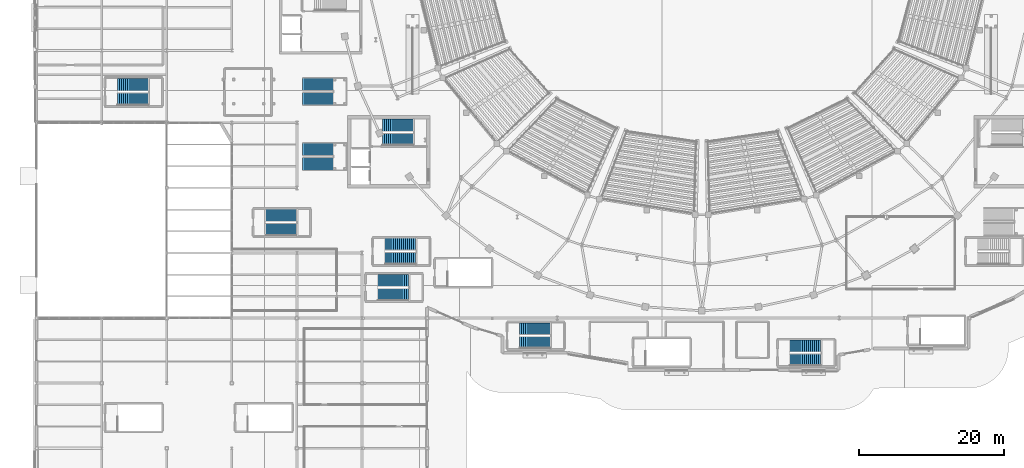
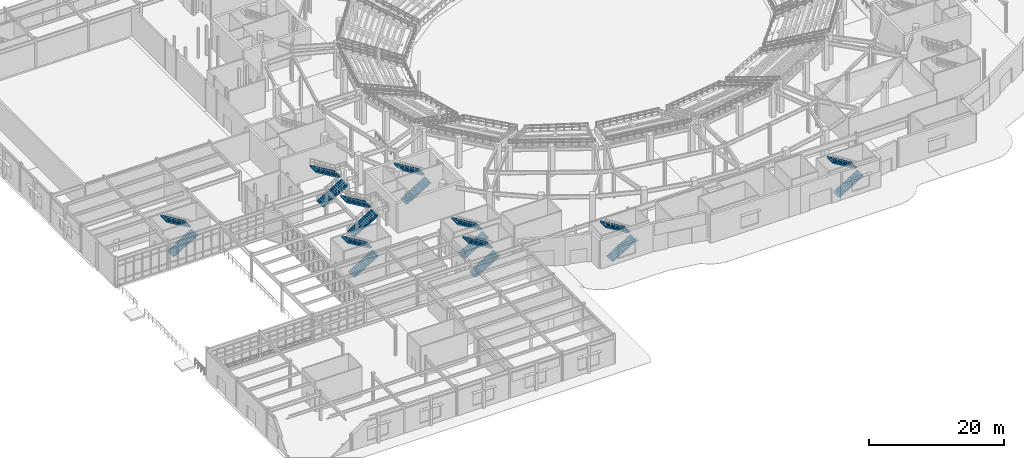
# One storey, part 57 of 79: 18 stair flights, 9 elements without a shape of their own.
"""IFC4 building model written with IfcOpenShell, lengths in metres."""

from ifc_helpers import new_model, si_unit, direction, frame, origin, place, context, subcontext, project, spatial, polyline, outline, extrude, material, type_object, element, aggregate, save


model = new_model("IFC4")

# Units and contexts
model_context = context("Model", 3, precision=1e-05, world=origin(), true_north=direction((0.0, 1.0)))
body_context = subcontext(model_context, "Body", "Model", "MODEL_VIEW")
ifc_project = project(units=[si_unit("LENGTHUNIT", "METRE"), si_unit("AREAUNIT", "SQUARE_METRE"), si_unit("VOLUMEUNIT", "CUBIC_METRE"), si_unit("PLANEANGLEUNIT", "RADIAN"), si_unit("MASSUNIT", "GRAM", prefix="KILO")], contexts=[model_context])

# Site, building, storey
site_placement = place(None, origin())
site = spatial("IfcSite", under=ifc_project, at=site_placement, CompositionType="ELEMENT")
building_placement = place(site_placement, origin())
building = spatial("IfcBuilding", under=site, at=building_placement, Name="Glasvene Arena", CompositionType="ELEMENT")
storey_placement = place(building_placement, origin())
storey = spatial("IfcBuildingStorey", under=building, at=storey_placement, Name="L00", CompositionType="ELEMENT", Elevation=0.0)

# Stair, stair flights
ifc_material = material(Name="Concrete C40/50", Category="concrete")
stair_type_1 = type_object("IfcStairType", Name="ST-HT-540-165", PredefinedType="HALF_TURN_STAIR", material=ifc_material)
stair_1_placement = place(storey_placement, origin())
stair_1 = element("IfcStair", 1, at=stair_1_placement, inside=storey, type_object=stair_type_1, Name="Protected escape stair ST-08 (L00 to L01)", PredefinedType="HALF_TURN_STAIR")
stair_flight_type_1 = type_object("IfcStairFlightType", Name="SF-HT-540-165", PredefinedType="STRAIGHT", material=ifc_material)
stair_flight_1_placement = place(storey_placement, frame((66.800048828125, 23.625, 0.0), z_axis=(0.0, 0.0, 1.0), x_axis=(1.0, 0.0, 0.0)))
stair_flight_1 = element("IfcStairFlight", 2, at=stair_flight_1_placement, type_object=stair_flight_type_1, Name="Protected escape stair ST-08 (L00 to L01) flight 1", NumberOfRisers=16, NumberOfTreads=15, PredefinedType="STRAIGHT", RiserHeight=0.16875, TreadLength=0.28, context=body_context, shape_type="SweptSolid", body=[
    extrude(outline(polyline([(0.0, 0.0), (0.0, 0.168701171875), (0.280029296875, 0.168701171875), (0.280029296875, 0.33740234375), (0.56005859375, 0.33740234375), (0.56005859375, 0.50634765625), (0.840087890625, 0.50634765625), (0.840087890625, 0.675048828125), (1.1201171875, 0.675048828125), (1.1201171875, 0.84375), (1.39990234375, 0.84375), (1.39990234375, 1.012451171875), (1.679931640625, 1.012451171875), (1.679931640625, 1.18115234375), (1.9599609375, 1.18115234375), (1.9599609375, 1.35009765625), (2.239990234375, 1.35009765625), (2.239990234375, 1.518798828125), (2.52001953125, 1.518798828125), (2.52001953125, 1.6875), (2.800048828125, 1.6875), (2.800048828125, 1.856201171875), (3.080078125, 1.856201171875), (3.080078125, 2.02490234375), (3.360107421875, 2.02490234375), (3.360107421875, 2.19384765625), (3.639892578125, 2.19384765625), (3.639892578125, 2.362548828125), (3.919921875, 2.362548828125), (3.919921875, 2.53125), (4.199951171875, 2.53125), (4.199951171875, 2.699951171875), (4.199951171875, 2.2978515625), (0.387451171875, 0.0), (0.0, 0.0)])), frame((0.0, 0.824951171875, 0.0), z_axis=(0.0, -1.0, 0.0), x_axis=(1.0, 0.0, 0.0)), (0.0, 0.0, 1.0), 1.64990234375),
])
stair_flight_2_placement = place(storey_placement, frame((71.0, 25.52490234375, 2.699951171875), z_axis=(0.0, 0.0, 1.0), x_axis=(-1.0, 0.0, 0.0)))
stair_flight_2 = element("IfcStairFlight", 3, at=stair_flight_2_placement, type_object=stair_flight_type_1, Name="Protected escape stair ST-08 (L00 to L01) flight 2", NumberOfRisers=16, NumberOfTreads=15, PredefinedType="STRAIGHT", RiserHeight=0.16875, TreadLength=0.28, context=body_context, shape_type="SweptSolid", body=[
    extrude(outline(polyline([(0.0, 0.0), (0.0, 0.168701171875), (0.280029296875, 0.168701171875), (0.280029296875, 0.33740234375), (0.56005859375, 0.33740234375), (0.56005859375, 0.50634765625), (0.840087890625, 0.50634765625), (0.840087890625, 0.675048828125), (1.1201171875, 0.675048828125), (1.1201171875, 0.84375), (1.39990234375, 0.84375), (1.39990234375, 1.012451171875), (1.679931640625, 1.012451171875), (1.679931640625, 1.18115234375), (1.9599609375, 1.18115234375), (1.9599609375, 1.35009765625), (2.239990234375, 1.35009765625), (2.239990234375, 1.518798828125), (2.52001953125, 1.518798828125), (2.52001953125, 1.6875), (2.800048828125, 1.6875), (2.800048828125, 1.856201171875), (3.080078125, 1.856201171875), (3.080078125, 2.02490234375), (3.360107421875, 2.02490234375), (3.360107421875, 2.19384765625), (3.639892578125, 2.19384765625), (3.639892578125, 2.362548828125), (3.919921875, 2.362548828125), (3.919921875, 2.53125), (4.199951171875, 2.53125), (4.199951171875, 2.699951171875), (4.199951171875, 2.2978515625), (0.387451171875, 0.0), (0.0, 0.0)])), frame((0.0, 0.824951171875, 0.0), z_axis=(0.0, -1.0, 0.0), x_axis=(1.0, 0.0, 0.0)), (0.0, 0.0, 1.0), 1.64990234375),
])
aggregate(stair_1, [stair_flight_1, stair_flight_2])

stair_2_placement = place(storey_placement, origin())
stair_2 = element("IfcStair", 4, at=stair_2_placement, inside=storey, type_object=stair_type_1, Name="Protected escape stair ST-09 (L00 to L01)", PredefinedType="HALF_TURN_STAIR")
stair_flight_3_placement = place(storey_placement, frame((104.199951171875, 21.22509765625, 0.0), z_axis=(0.0, 0.0, 1.0), x_axis=(1.0, 0.0, 0.0)))
stair_flight_3 = element("IfcStairFlight", 5, at=stair_flight_3_placement, type_object=stair_flight_type_1, Name="Protected escape stair ST-09 (L00 to L01) flight 1", NumberOfRisers=16, NumberOfTreads=15, PredefinedType="STRAIGHT", RiserHeight=0.16875, TreadLength=0.28, context=body_context, shape_type="SweptSolid", body=[
    extrude(outline(polyline([(0.0, 0.0), (0.0, 0.168701171875), (0.280029296875, 0.168701171875), (0.280029296875, 0.33740234375), (0.56005859375, 0.33740234375), (0.56005859375, 0.50634765625), (0.840087890625, 0.50634765625), (0.840087890625, 0.675048828125), (1.1201171875, 0.675048828125), (1.1201171875, 0.84375), (1.39990234375, 0.84375), (1.39990234375, 1.012451171875), (1.679931640625, 1.012451171875), (1.679931640625, 1.18115234375), (1.9599609375, 1.18115234375), (1.9599609375, 1.35009765625), (2.239990234375, 1.35009765625), (2.239990234375, 1.518798828125), (2.52001953125, 1.518798828125), (2.52001953125, 1.6875), (2.800048828125, 1.6875), (2.800048828125, 1.856201171875), (3.080078125, 1.856201171875), (3.080078125, 2.02490234375), (3.360107421875, 2.02490234375), (3.360107421875, 2.19384765625), (3.639892578125, 2.19384765625), (3.639892578125, 2.362548828125), (3.919921875, 2.362548828125), (3.919921875, 2.53125), (4.199951171875, 2.53125), (4.199951171875, 2.699951171875), (4.199951171875, 2.2978515625), (0.387451171875, 0.0), (0.0, 0.0)])), frame((0.0, 0.824951171875, 0.0), z_axis=(0.0, -1.0, 0.0), x_axis=(1.0, 0.0, 0.0)), (0.0, 0.0, 1.0), 1.64990234375),
])
stair_flight_4_placement = place(storey_placement, frame((108.39990234375, 23.125, 2.699951171875), z_axis=(0.0, 0.0, 1.0), x_axis=(-1.0, 0.0, 0.0)))
stair_flight_4 = element("IfcStairFlight", 6, at=stair_flight_4_placement, type_object=stair_flight_type_1, Name="Protected escape stair ST-09 (L00 to L01) flight 2", NumberOfRisers=16, NumberOfTreads=15, PredefinedType="STRAIGHT", RiserHeight=0.16875, TreadLength=0.28, context=body_context, shape_type="SweptSolid", body=[
    extrude(outline(polyline([(0.0, 0.0), (0.0, 0.168701171875), (0.280029296875, 0.168701171875), (0.280029296875, 0.33740234375), (0.56005859375, 0.33740234375), (0.56005859375, 0.50634765625), (0.840087890625, 0.50634765625), (0.840087890625, 0.675048828125), (1.1201171875, 0.675048828125), (1.1201171875, 0.84375), (1.39990234375, 0.84375), (1.39990234375, 1.012451171875), (1.679931640625, 1.012451171875), (1.679931640625, 1.18115234375), (1.9599609375, 1.18115234375), (1.9599609375, 1.35009765625), (2.239990234375, 1.35009765625), (2.239990234375, 1.518798828125), (2.52001953125, 1.518798828125), (2.52001953125, 1.6875), (2.800048828125, 1.6875), (2.800048828125, 1.856201171875), (3.080078125, 1.856201171875), (3.080078125, 2.02490234375), (3.360107421875, 2.02490234375), (3.360107421875, 2.19384765625), (3.639892578125, 2.19384765625), (3.639892578125, 2.362548828125), (3.919921875, 2.362548828125), (3.919921875, 2.53125), (4.199951171875, 2.53125), (4.199951171875, 2.699951171875), (4.199951171875, 2.2978515625), (0.387451171875, 0.0), (0.0, 0.0)])), frame((0.0, 0.824951171875, 0.0), z_axis=(0.0, -1.0, 0.0), x_axis=(1.0, 0.0, 0.0)), (0.0, 0.0, 1.0), 1.64990234375),
])
aggregate(stair_2, [stair_flight_3, stair_flight_4])

stair_type_2 = type_object("IfcStairType", Name="ST-HT-540-170", PredefinedType="HALF_TURN_STAIR", material=ifc_material)
stair_3_placement = place(storey_placement, origin())
stair_3 = element("IfcStair", 7, at=stair_3_placement, inside=storey, type_object=stair_type_2, Name="Protected escape stair ST-03 (L00 to L01)", PredefinedType="HALF_TURN_STAIR")
stair_flight_type_2 = type_object("IfcStairFlightType", Name="SF-HT-540-170", PredefinedType="STRAIGHT", material=ifc_material)
stair_flight_5_placement = place(storey_placement, frame((47.85009765625, 51.699951171875, 0.0), z_axis=(0.0, 0.0, 1.0), x_axis=(1.0, 0.0, 0.0)))
stair_flight_5 = element("IfcStairFlight", 8, at=stair_flight_5_placement, type_object=stair_flight_type_2, Name="Protected escape stair ST-03 (L00 to L01) flight 1", NumberOfRisers=16, NumberOfTreads=15, PredefinedType="STRAIGHT", RiserHeight=0.16875, TreadLength=0.28, context=body_context, shape_type="SweptSolid", body=[
    extrude(outline(polyline([(0.0, 0.0), (0.0, 0.168701171875), (0.280029296875, 0.168701171875), (0.280029296875, 0.33740234375), (0.56005859375, 0.33740234375), (0.56005859375, 0.50634765625), (0.840087890625, 0.50634765625), (0.840087890625, 0.675048828125), (1.1201171875, 0.675048828125), (1.1201171875, 0.84375), (1.39990234375, 0.84375), (1.39990234375, 1.012451171875), (1.679931640625, 1.012451171875), (1.679931640625, 1.18115234375), (1.9599609375, 1.18115234375), (1.9599609375, 1.35009765625), (2.239990234375, 1.35009765625), (2.239990234375, 1.518798828125), (2.52001953125, 1.518798828125), (2.52001953125, 1.6875), (2.800048828125, 1.6875), (2.800048828125, 1.856201171875), (3.080078125, 1.856201171875), (3.080078125, 2.02490234375), (3.360107421875, 2.02490234375), (3.360107421875, 2.19384765625), (3.639892578125, 2.19384765625), (3.639892578125, 2.362548828125), (3.919921875, 2.362548828125), (3.919921875, 2.53125), (4.199951171875, 2.53125), (4.199951171875, 2.699951171875), (4.199951171875, 2.2978515625), (0.387451171875, 0.0), (0.0, 0.0)])), frame((0.0, 0.85009765625, 0.0), z_axis=(0.0, -1.0, 0.0), x_axis=(1.0, 0.0, 0.0)), (0.0, 0.0, 1.0), 1.699951171875),
])
stair_flight_6_placement = place(storey_placement, frame((52.050048828125, 53.64990234375, 2.699951171875), z_axis=(0.0, 0.0, 1.0), x_axis=(-1.0, 0.0, 0.0)))
stair_flight_6 = element("IfcStairFlight", 9, at=stair_flight_6_placement, type_object=stair_flight_type_2, Name="Protected escape stair ST-03 (L00 to L01) flight 2", NumberOfRisers=16, NumberOfTreads=15, PredefinedType="STRAIGHT", RiserHeight=0.16875, TreadLength=0.28, context=body_context, shape_type="SweptSolid", body=[
    extrude(outline(polyline([(0.0, 0.0), (0.0, 0.168701171875), (0.280029296875, 0.168701171875), (0.280029296875, 0.33740234375), (0.56005859375, 0.33740234375), (0.56005859375, 0.50634765625), (0.840087890625, 0.50634765625), (0.840087890625, 0.675048828125), (1.1201171875, 0.675048828125), (1.1201171875, 0.84375), (1.39990234375, 0.84375), (1.39990234375, 1.012451171875), (1.679931640625, 1.012451171875), (1.679931640625, 1.18115234375), (1.9599609375, 1.18115234375), (1.9599609375, 1.35009765625), (2.239990234375, 1.35009765625), (2.239990234375, 1.518798828125), (2.52001953125, 1.518798828125), (2.52001953125, 1.6875), (2.800048828125, 1.6875), (2.800048828125, 1.856201171875), (3.080078125, 1.856201171875), (3.080078125, 2.02490234375), (3.360107421875, 2.02490234375), (3.360107421875, 2.19384765625), (3.639892578125, 2.19384765625), (3.639892578125, 2.362548828125), (3.919921875, 2.362548828125), (3.919921875, 2.53125), (4.199951171875, 2.53125), (4.199951171875, 2.699951171875), (4.199951171875, 2.2978515625), (0.387451171875, 0.0), (0.0, 0.0)])), frame((0.0, 0.85009765625, 0.0), z_axis=(0.0, -1.0, 0.0), x_axis=(1.0, 0.0, 0.0)), (0.0, 0.0, 1.0), 1.699951171875),
])
aggregate(stair_3, [stair_flight_5, stair_flight_6])

stair_4_placement = place(storey_placement, origin())
stair_4 = element("IfcStair", 10, at=stair_4_placement, inside=storey, type_object=stair_type_2, Name="Protected escape stair ST-05 (L00 to L01)", PredefinedType="HALF_TURN_STAIR")
stair_flight_7_placement = place(storey_placement, frame((48.199951171875, 35.25, 0.0), z_axis=(0.0, 0.0, 1.0), x_axis=(1.0, 0.0, 0.0)))
stair_flight_7 = element("IfcStairFlight", 11, at=stair_flight_7_placement, type_object=stair_flight_type_2, Name="Protected escape stair ST-05 (L00 to L01) flight 1", NumberOfRisers=16, NumberOfTreads=15, PredefinedType="STRAIGHT", RiserHeight=0.16875, TreadLength=0.28, context=body_context, shape_type="SweptSolid", body=[
    extrude(outline(polyline([(0.0, 0.0), (0.0, 0.168701171875), (0.280029296875, 0.168701171875), (0.280029296875, 0.33740234375), (0.56005859375, 0.33740234375), (0.56005859375, 0.50634765625), (0.840087890625, 0.50634765625), (0.840087890625, 0.675048828125), (1.1201171875, 0.675048828125), (1.1201171875, 0.84375), (1.39990234375, 0.84375), (1.39990234375, 1.012451171875), (1.679931640625, 1.012451171875), (1.679931640625, 1.18115234375), (1.9599609375, 1.18115234375), (1.9599609375, 1.35009765625), (2.239990234375, 1.35009765625), (2.239990234375, 1.518798828125), (2.52001953125, 1.518798828125), (2.52001953125, 1.6875), (2.800048828125, 1.6875), (2.800048828125, 1.856201171875), (3.080078125, 1.856201171875), (3.080078125, 2.02490234375), (3.360107421875, 2.02490234375), (3.360107421875, 2.19384765625), (3.639892578125, 2.19384765625), (3.639892578125, 2.362548828125), (3.919921875, 2.362548828125), (3.919921875, 2.53125), (4.199951171875, 2.53125), (4.199951171875, 2.699951171875), (4.199951171875, 2.2978515625), (0.387451171875, 0.0), (0.0, 0.0)])), frame((0.0, 0.85009765625, 0.0), z_axis=(0.0, -1.0, 0.0), x_axis=(1.0, 0.0, 0.0)), (0.0, 0.0, 1.0), 1.699951171875),
])
stair_flight_8_placement = place(storey_placement, frame((52.39990234375, 37.199951171875, 2.699951171875), z_axis=(0.0, 0.0, 1.0), x_axis=(-1.0, 0.0, 0.0)))
stair_flight_8 = element("IfcStairFlight", 12, at=stair_flight_8_placement, type_object=stair_flight_type_2, Name="Protected escape stair ST-05 (L00 to L01) flight 2", NumberOfRisers=16, NumberOfTreads=15, PredefinedType="STRAIGHT", RiserHeight=0.16875, TreadLength=0.28, context=body_context, shape_type="SweptSolid", body=[
    extrude(outline(polyline([(0.0, 0.0), (0.0, 0.168701171875), (0.280029296875, 0.168701171875), (0.280029296875, 0.33740234375), (0.56005859375, 0.33740234375), (0.56005859375, 0.50634765625), (0.840087890625, 0.50634765625), (0.840087890625, 0.675048828125), (1.1201171875, 0.675048828125), (1.1201171875, 0.84375), (1.39990234375, 0.84375), (1.39990234375, 1.012451171875), (1.679931640625, 1.012451171875), (1.679931640625, 1.18115234375), (1.9599609375, 1.18115234375), (1.9599609375, 1.35009765625), (2.239990234375, 1.35009765625), (2.239990234375, 1.518798828125), (2.52001953125, 1.518798828125), (2.52001953125, 1.6875), (2.800048828125, 1.6875), (2.800048828125, 1.856201171875), (3.080078125, 1.856201171875), (3.080078125, 2.02490234375), (3.360107421875, 2.02490234375), (3.360107421875, 2.19384765625), (3.639892578125, 2.19384765625), (3.639892578125, 2.362548828125), (3.919921875, 2.362548828125), (3.919921875, 2.53125), (4.199951171875, 2.53125), (4.199951171875, 2.699951171875), (4.199951171875, 2.2978515625), (0.387451171875, 0.0), (0.0, 0.0)])), frame((0.0, 0.85009765625, 0.0), z_axis=(0.0, -1.0, 0.0), x_axis=(1.0, 0.0, 0.0)), (0.0, 0.0, 1.0), 1.699951171875),
])
aggregate(stair_4, [stair_flight_7, stair_flight_8])

stair_5_placement = place(storey_placement, origin())
stair_5 = element("IfcStair", 13, at=stair_5_placement, inside=storey, type_object=stair_type_2, Name="Protected escape stair ST-15 (L00 to L01)", PredefinedType="HALF_TURN_STAIR")
stair_flight_9_placement = place(storey_placement, frame((31.699951171875, 39.25, 0.0), z_axis=(0.0, 0.0, 1.0), x_axis=(1.0, 0.0, 0.0)))
stair_flight_9 = element("IfcStairFlight", 14, at=stair_flight_9_placement, type_object=stair_flight_type_2, Name="Protected escape stair ST-15 (L00 to L01) flight 1", NumberOfRisers=16, NumberOfTreads=15, PredefinedType="STRAIGHT", RiserHeight=0.16875, TreadLength=0.28, context=body_context, shape_type="SweptSolid", body=[
    extrude(outline(polyline([(0.0, 0.0), (0.0, 0.168701171875), (0.280029296875, 0.168701171875), (0.280029296875, 0.33740234375), (0.56005859375, 0.33740234375), (0.56005859375, 0.50634765625), (0.840087890625, 0.50634765625), (0.840087890625, 0.675048828125), (1.1201171875, 0.675048828125), (1.1201171875, 0.84375), (1.39990234375, 0.84375), (1.39990234375, 1.012451171875), (1.679931640625, 1.012451171875), (1.679931640625, 1.18115234375), (1.9599609375, 1.18115234375), (1.9599609375, 1.35009765625), (2.239990234375, 1.35009765625), (2.239990234375, 1.518798828125), (2.52001953125, 1.518798828125), (2.52001953125, 1.6875), (2.800048828125, 1.6875), (2.800048828125, 1.856201171875), (3.080078125, 1.856201171875), (3.080078125, 2.02490234375), (3.360107421875, 2.02490234375), (3.360107421875, 2.19384765625), (3.639892578125, 2.19384765625), (3.639892578125, 2.362548828125), (3.919921875, 2.362548828125), (3.919921875, 2.53125), (4.199951171875, 2.53125), (4.199951171875, 2.699951171875), (4.199951171875, 2.2978515625), (0.387451171875, 0.0), (0.0, 0.0)])), frame((0.0, 0.85009765625, 0.0), z_axis=(0.0, -1.0, 0.0), x_axis=(1.0, 0.0, 0.0)), (0.0, 0.0, 1.0), 1.699951171875),
])
stair_flight_10_placement = place(storey_placement, frame((35.89990234375, 41.199951171875, 2.699951171875), z_axis=(0.0, 0.0, 1.0), x_axis=(-1.0, 0.0, 0.0)))
stair_flight_10 = element("IfcStairFlight", 15, at=stair_flight_10_placement, type_object=stair_flight_type_2, Name="Protected escape stair ST-15 (L00 to L01) flight 2", NumberOfRisers=16, NumberOfTreads=15, PredefinedType="STRAIGHT", RiserHeight=0.16875, TreadLength=0.28, context=body_context, shape_type="SweptSolid", body=[
    extrude(outline(polyline([(0.0, 0.0), (0.0, 0.168701171875), (0.280029296875, 0.168701171875), (0.280029296875, 0.33740234375), (0.56005859375, 0.33740234375), (0.56005859375, 0.50634765625), (0.840087890625, 0.50634765625), (0.840087890625, 0.675048828125), (1.1201171875, 0.675048828125), (1.1201171875, 0.84375), (1.39990234375, 0.84375), (1.39990234375, 1.012451171875), (1.679931640625, 1.012451171875), (1.679931640625, 1.18115234375), (1.9599609375, 1.18115234375), (1.9599609375, 1.35009765625), (2.239990234375, 1.35009765625), (2.239990234375, 1.518798828125), (2.52001953125, 1.518798828125), (2.52001953125, 1.6875), (2.800048828125, 1.6875), (2.800048828125, 1.856201171875), (3.080078125, 1.856201171875), (3.080078125, 2.02490234375), (3.360107421875, 2.02490234375), (3.360107421875, 2.19384765625), (3.639892578125, 2.19384765625), (3.639892578125, 2.362548828125), (3.919921875, 2.362548828125), (3.919921875, 2.53125), (4.199951171875, 2.53125), (4.199951171875, 2.699951171875), (4.199951171875, 2.2978515625), (0.387451171875, 0.0), (0.0, 0.0)])), frame((0.0, 0.85009765625, 0.0), z_axis=(0.0, -1.0, 0.0), x_axis=(1.0, 0.0, 0.0)), (0.0, 0.0, 1.0), 1.699951171875),
])
aggregate(stair_5, [stair_flight_9, stair_flight_10])

stair_6_placement = place(storey_placement, origin())
stair_6 = element("IfcStair", 16, at=stair_6_placement, inside=storey, type_object=stair_type_2, Name="Protected escape stair ST-16 (L00 to L01)", PredefinedType="HALF_TURN_STAIR")
stair_flight_11_placement = place(storey_placement, frame((47.199951171875, 30.25, 0.0), z_axis=(0.0, 0.0, 1.0), x_axis=(1.0, 0.0, 0.0)))
stair_flight_11 = element("IfcStairFlight", 17, at=stair_flight_11_placement, type_object=stair_flight_type_2, Name="Protected escape stair ST-16 (L00 to L01) flight 1", NumberOfRisers=16, NumberOfTreads=15, PredefinedType="STRAIGHT", RiserHeight=0.16875, TreadLength=0.28, context=body_context, shape_type="SweptSolid", body=[
    extrude(outline(polyline([(0.0, 0.0), (0.0, 0.168701171875), (0.280029296875, 0.168701171875), (0.280029296875, 0.33740234375), (0.56005859375, 0.33740234375), (0.56005859375, 0.50634765625), (0.840087890625, 0.50634765625), (0.840087890625, 0.675048828125), (1.1201171875, 0.675048828125), (1.1201171875, 0.84375), (1.39990234375, 0.84375), (1.39990234375, 1.012451171875), (1.679931640625, 1.012451171875), (1.679931640625, 1.18115234375), (1.9599609375, 1.18115234375), (1.9599609375, 1.35009765625), (2.239990234375, 1.35009765625), (2.239990234375, 1.518798828125), (2.52001953125, 1.518798828125), (2.52001953125, 1.6875), (2.800048828125, 1.6875), (2.800048828125, 1.856201171875), (3.080078125, 1.856201171875), (3.080078125, 2.02490234375), (3.360107421875, 2.02490234375), (3.360107421875, 2.19384765625), (3.639892578125, 2.19384765625), (3.639892578125, 2.362548828125), (3.919921875, 2.362548828125), (3.919921875, 2.53125), (4.199951171875, 2.53125), (4.199951171875, 2.699951171875), (4.199951171875, 2.2978515625), (0.387451171875, 0.0), (0.0, 0.0)])), frame((0.0, 0.85009765625, 0.0), z_axis=(0.0, -1.0, 0.0), x_axis=(1.0, 0.0, 0.0)), (0.0, 0.0, 1.0), 1.699951171875),
])
stair_flight_12_placement = place(storey_placement, frame((51.39990234375, 32.199951171875, 2.699951171875), z_axis=(0.0, 0.0, 1.0), x_axis=(-1.0, 0.0, 0.0)))
stair_flight_12 = element("IfcStairFlight", 18, at=stair_flight_12_placement, type_object=stair_flight_type_2, Name="Protected escape stair ST-16 (L00 to L01) flight 2", NumberOfRisers=16, NumberOfTreads=15, PredefinedType="STRAIGHT", RiserHeight=0.16875, TreadLength=0.28, context=body_context, shape_type="SweptSolid", body=[
    extrude(outline(polyline([(0.0, 0.0), (0.0, 0.168701171875), (0.280029296875, 0.168701171875), (0.280029296875, 0.33740234375), (0.56005859375, 0.33740234375), (0.56005859375, 0.50634765625), (0.840087890625, 0.50634765625), (0.840087890625, 0.675048828125), (1.1201171875, 0.675048828125), (1.1201171875, 0.84375), (1.39990234375, 0.84375), (1.39990234375, 1.012451171875), (1.679931640625, 1.012451171875), (1.679931640625, 1.18115234375), (1.9599609375, 1.18115234375), (1.9599609375, 1.35009765625), (2.239990234375, 1.35009765625), (2.239990234375, 1.518798828125), (2.52001953125, 1.518798828125), (2.52001953125, 1.6875), (2.800048828125, 1.6875), (2.800048828125, 1.856201171875), (3.080078125, 1.856201171875), (3.080078125, 2.02490234375), (3.360107421875, 2.02490234375), (3.360107421875, 2.19384765625), (3.639892578125, 2.19384765625), (3.639892578125, 2.362548828125), (3.919921875, 2.362548828125), (3.919921875, 2.53125), (4.199951171875, 2.53125), (4.199951171875, 2.699951171875), (4.199951171875, 2.2978515625), (0.387451171875, 0.0), (0.0, 0.0)])), frame((0.0, 0.85009765625, 0.0), z_axis=(0.0, -1.0, 0.0), x_axis=(1.0, 0.0, 0.0)), (0.0, 0.0, 1.0), 1.699951171875),
])
aggregate(stair_6, [stair_flight_11, stair_flight_12])

stair_type_3 = type_object("IfcStairType", Name="ST-HT-540-175", PredefinedType="HALF_TURN_STAIR", material=ifc_material)
stair_7_placement = place(storey_placement, origin())
stair_7 = element("IfcStair", 19, at=stair_7_placement, inside=storey, type_object=stair_type_3, Name="Protected escape stair ST-13 (L00 to L01)", PredefinedType="HALF_TURN_STAIR")
stair_flight_type_3 = type_object("IfcStairFlightType", Name="SF-HT-540-175", PredefinedType="STRAIGHT", material=ifc_material)
stair_flight_13_placement = place(storey_placement, frame((11.199951171875, 57.27490234375, 0.0), z_axis=(0.0, 0.0, 1.0), x_axis=(1.0, 0.0, 0.0)))
stair_flight_13 = element("IfcStairFlight", 20, at=stair_flight_13_placement, type_object=stair_flight_type_3, Name="Protected escape stair ST-13 (L00 to L01) flight 1", NumberOfRisers=16, NumberOfTreads=15, PredefinedType="STRAIGHT", RiserHeight=0.16875, TreadLength=0.28, context=body_context, shape_type="SweptSolid", body=[
    extrude(outline(polyline([(0.0, 0.0), (0.0, 0.168701171875), (0.280029296875, 0.168701171875), (0.280029296875, 0.33740234375), (0.56005859375, 0.33740234375), (0.56005859375, 0.50634765625), (0.840087890625, 0.50634765625), (0.840087890625, 0.675048828125), (1.1201171875, 0.675048828125), (1.1201171875, 0.84375), (1.39990234375, 0.84375), (1.39990234375, 1.012451171875), (1.679931640625, 1.012451171875), (1.679931640625, 1.18115234375), (1.9599609375, 1.18115234375), (1.9599609375, 1.35009765625), (2.239990234375, 1.35009765625), (2.239990234375, 1.518798828125), (2.52001953125, 1.518798828125), (2.52001953125, 1.6875), (2.800048828125, 1.6875), (2.800048828125, 1.856201171875), (3.080078125, 1.856201171875), (3.080078125, 2.02490234375), (3.360107421875, 2.02490234375), (3.360107421875, 2.19384765625), (3.639892578125, 2.19384765625), (3.639892578125, 2.362548828125), (3.919921875, 2.362548828125), (3.919921875, 2.53125), (4.199951171875, 2.53125), (4.199951171875, 2.699951171875), (4.199951171875, 2.2978515625), (0.387451171875, 0.0), (0.0, 0.0)])), frame((0.0, 0.875, 0.0), z_axis=(0.0, -1.0, 0.0), x_axis=(1.0, 0.0, 0.0)), (0.0, 0.0, 1.0), 1.75),
])
stair_flight_14_placement = place(storey_placement, frame((15.39990234375, 59.27490234375, 2.699951171875), z_axis=(0.0, 0.0, 1.0), x_axis=(-1.0, 0.0, 0.0)))
stair_flight_14 = element("IfcStairFlight", 21, at=stair_flight_14_placement, type_object=stair_flight_type_3, Name="Protected escape stair ST-13 (L00 to L01) flight 2", NumberOfRisers=16, NumberOfTreads=15, PredefinedType="STRAIGHT", RiserHeight=0.16875, TreadLength=0.28, context=body_context, shape_type="SweptSolid", body=[
    extrude(outline(polyline([(0.0, 0.0), (0.0, 0.168701171875), (0.280029296875, 0.168701171875), (0.280029296875, 0.33740234375), (0.56005859375, 0.33740234375), (0.56005859375, 0.50634765625), (0.840087890625, 0.50634765625), (0.840087890625, 0.675048828125), (1.1201171875, 0.675048828125), (1.1201171875, 0.84375), (1.39990234375, 0.84375), (1.39990234375, 1.012451171875), (1.679931640625, 1.012451171875), (1.679931640625, 1.18115234375), (1.9599609375, 1.18115234375), (1.9599609375, 1.35009765625), (2.239990234375, 1.35009765625), (2.239990234375, 1.518798828125), (2.52001953125, 1.518798828125), (2.52001953125, 1.6875), (2.800048828125, 1.6875), (2.800048828125, 1.856201171875), (3.080078125, 1.856201171875), (3.080078125, 2.02490234375), (3.360107421875, 2.02490234375), (3.360107421875, 2.19384765625), (3.639892578125, 2.19384765625), (3.639892578125, 2.362548828125), (3.919921875, 2.362548828125), (3.919921875, 2.53125), (4.199951171875, 2.53125), (4.199951171875, 2.699951171875), (4.199951171875, 2.2978515625), (0.387451171875, 0.0), (0.0, 0.0)])), frame((0.0, 0.875, 0.0), z_axis=(0.0, -1.0, 0.0), x_axis=(1.0, 0.0, 0.0)), (0.0, 0.0, 1.0), 1.75),
])
aggregate(stair_7, [stair_flight_13, stair_flight_14])

stair_type_4 = type_object("IfcStairType", Name="ST-HT-540-180", PredefinedType="HALF_TURN_STAIR", material=ifc_material)
stair_8_placement = place(storey_placement, origin())
stair_8 = element("IfcStair", 22, at=stair_8_placement, inside=storey, type_object=stair_type_4, Name="Vomitory Stair VOM-01 (L00 to L01)", PredefinedType="HALF_TURN_STAIR")
stair_flight_type_4 = type_object("IfcStairFlightType", Name="SF-HT-540-180", PredefinedType="STRAIGHT", material=ifc_material)
stair_flight_15_placement = place(storey_placement, frame((36.800048828125, 48.300048828125, 0.0), z_axis=(0.0, 0.0, 1.0), x_axis=(1.0, 0.0, 0.0)))
stair_flight_15 = element("IfcStairFlight", 23, at=stair_flight_15_placement, type_object=stair_flight_type_4, Name="Vomitory Stair VOM-01 (L00 to L01) flight 1", NumberOfRisers=16, NumberOfTreads=15, PredefinedType="STRAIGHT", RiserHeight=0.16875, TreadLength=0.28, context=body_context, shape_type="SweptSolid", body=[
    extrude(outline(polyline([(0.0, 0.0), (0.0, 0.168701171875), (0.280029296875, 0.168701171875), (0.280029296875, 0.33740234375), (0.56005859375, 0.33740234375), (0.56005859375, 0.50634765625), (0.840087890625, 0.50634765625), (0.840087890625, 0.675048828125), (1.1201171875, 0.675048828125), (1.1201171875, 0.84375), (1.39990234375, 0.84375), (1.39990234375, 1.012451171875), (1.679931640625, 1.012451171875), (1.679931640625, 1.18115234375), (1.9599609375, 1.18115234375), (1.9599609375, 1.35009765625), (2.239990234375, 1.35009765625), (2.239990234375, 1.518798828125), (2.52001953125, 1.518798828125), (2.52001953125, 1.6875), (2.800048828125, 1.6875), (2.800048828125, 1.856201171875), (3.080078125, 1.856201171875), (3.080078125, 2.02490234375), (3.360107421875, 2.02490234375), (3.360107421875, 2.19384765625), (3.639892578125, 2.19384765625), (3.639892578125, 2.362548828125), (3.919921875, 2.362548828125), (3.919921875, 2.53125), (4.199951171875, 2.53125), (4.199951171875, 2.699951171875), (4.199951171875, 2.2978515625), (0.387451171875, 0.0), (0.0, 0.0)])), frame((0.0, 0.89990234375, 0.0), z_axis=(0.0, -1.0, 0.0), x_axis=(1.0, 0.0, 0.0)), (0.0, 0.0, 1.0), 1.800048828125),
])
stair_flight_16_placement = place(storey_placement, frame((41.0, 50.35009765625, 2.699951171875), z_axis=(0.0, 0.0, 1.0), x_axis=(-1.0, 0.0, 0.0)))
stair_flight_16 = element("IfcStairFlight", 24, at=stair_flight_16_placement, type_object=stair_flight_type_4, Name="Vomitory Stair VOM-01 (L00 to L01) flight 2", NumberOfRisers=16, NumberOfTreads=15, PredefinedType="STRAIGHT", RiserHeight=0.16875, TreadLength=0.28, context=body_context, shape_type="SweptSolid", body=[
    extrude(outline(polyline([(0.0, 0.0), (0.0, 0.168701171875), (0.280029296875, 0.168701171875), (0.280029296875, 0.33740234375), (0.56005859375, 0.33740234375), (0.56005859375, 0.50634765625), (0.840087890625, 0.50634765625), (0.840087890625, 0.675048828125), (1.1201171875, 0.675048828125), (1.1201171875, 0.84375), (1.39990234375, 0.84375), (1.39990234375, 1.012451171875), (1.679931640625, 1.012451171875), (1.679931640625, 1.18115234375), (1.9599609375, 1.18115234375), (1.9599609375, 1.35009765625), (2.239990234375, 1.35009765625), (2.239990234375, 1.518798828125), (2.52001953125, 1.518798828125), (2.52001953125, 1.6875), (2.800048828125, 1.6875), (2.800048828125, 1.856201171875), (3.080078125, 1.856201171875), (3.080078125, 2.02490234375), (3.360107421875, 2.02490234375), (3.360107421875, 2.19384765625), (3.639892578125, 2.19384765625), (3.639892578125, 2.362548828125), (3.919921875, 2.362548828125), (3.919921875, 2.53125), (4.199951171875, 2.53125), (4.199951171875, 2.699951171875), (4.199951171875, 2.2978515625), (0.387451171875, 0.0), (0.0, 0.0)])), frame((0.0, 0.89990234375, 0.0), z_axis=(0.0, -1.0, 0.0), x_axis=(1.0, 0.0, 0.0)), (0.0, 0.0, 1.0), 1.800048828125),
])
aggregate(stair_8, [stair_flight_15, stair_flight_16])

stair_9_placement = place(storey_placement, origin())
stair_9 = element("IfcStair", 25, at=stair_9_placement, inside=storey, type_object=stair_type_4, Name="Vomitory Stair VOM-03 (L00 to L01)", PredefinedType="HALF_TURN_STAIR")
stair_flight_17_placement = place(storey_placement, frame((36.800048828125, 57.300048828125, 0.0), z_axis=(0.0, 0.0, 1.0), x_axis=(1.0, 0.0, 0.0)))
stair_flight_17 = element("IfcStairFlight", 26, at=stair_flight_17_placement, type_object=stair_flight_type_4, Name="Vomitory Stair VOM-03 (L00 to L01) flight 1", NumberOfRisers=16, NumberOfTreads=15, PredefinedType="STRAIGHT", RiserHeight=0.16875, TreadLength=0.28, context=body_context, shape_type="SweptSolid", body=[
    extrude(outline(polyline([(0.0, 0.0), (0.0, 0.168701171875), (0.280029296875, 0.168701171875), (0.280029296875, 0.33740234375), (0.56005859375, 0.33740234375), (0.56005859375, 0.50634765625), (0.840087890625, 0.50634765625), (0.840087890625, 0.675048828125), (1.1201171875, 0.675048828125), (1.1201171875, 0.84375), (1.39990234375, 0.84375), (1.39990234375, 1.012451171875), (1.679931640625, 1.012451171875), (1.679931640625, 1.18115234375), (1.9599609375, 1.18115234375), (1.9599609375, 1.35009765625), (2.239990234375, 1.35009765625), (2.239990234375, 1.518798828125), (2.52001953125, 1.518798828125), (2.52001953125, 1.6875), (2.800048828125, 1.6875), (2.800048828125, 1.856201171875), (3.080078125, 1.856201171875), (3.080078125, 2.02490234375), (3.360107421875, 2.02490234375), (3.360107421875, 2.19384765625), (3.639892578125, 2.19384765625), (3.639892578125, 2.362548828125), (3.919921875, 2.362548828125), (3.919921875, 2.53125), (4.199951171875, 2.53125), (4.199951171875, 2.699951171875), (4.199951171875, 2.2978515625), (0.387451171875, 0.0), (0.0, 0.0)])), frame((0.0, 0.89990234375, 0.0), z_axis=(0.0, -1.0, 0.0), x_axis=(1.0, 0.0, 0.0)), (0.0, 0.0, 1.0), 1.800048828125),
])
stair_flight_18_placement = place(storey_placement, frame((41.0, 59.35009765625, 2.699951171875), z_axis=(0.0, 0.0, 1.0), x_axis=(-1.0, 0.0, 0.0)))
stair_flight_18 = element("IfcStairFlight", 27, at=stair_flight_18_placement, type_object=stair_flight_type_4, Name="Vomitory Stair VOM-03 (L00 to L01) flight 2", NumberOfRisers=16, NumberOfTreads=15, PredefinedType="STRAIGHT", RiserHeight=0.16875, TreadLength=0.28, context=body_context, shape_type="SweptSolid", body=[
    extrude(outline(polyline([(0.0, 0.0), (0.0, 0.168701171875), (0.280029296875, 0.168701171875), (0.280029296875, 0.33740234375), (0.56005859375, 0.33740234375), (0.56005859375, 0.50634765625), (0.840087890625, 0.50634765625), (0.840087890625, 0.675048828125), (1.1201171875, 0.675048828125), (1.1201171875, 0.84375), (1.39990234375, 0.84375), (1.39990234375, 1.012451171875), (1.679931640625, 1.012451171875), (1.679931640625, 1.18115234375), (1.9599609375, 1.18115234375), (1.9599609375, 1.35009765625), (2.239990234375, 1.35009765625), (2.239990234375, 1.518798828125), (2.52001953125, 1.518798828125), (2.52001953125, 1.6875), (2.800048828125, 1.6875), (2.800048828125, 1.856201171875), (3.080078125, 1.856201171875), (3.080078125, 2.02490234375), (3.360107421875, 2.02490234375), (3.360107421875, 2.19384765625), (3.639892578125, 2.19384765625), (3.639892578125, 2.362548828125), (3.919921875, 2.362548828125), (3.919921875, 2.53125), (4.199951171875, 2.53125), (4.199951171875, 2.699951171875), (4.199951171875, 2.2978515625), (0.387451171875, 0.0), (0.0, 0.0)])), frame((0.0, 0.89990234375, 0.0), z_axis=(0.0, -1.0, 0.0), x_axis=(1.0, 0.0, 0.0)), (0.0, 0.0, 1.0), 1.800048828125),
])
aggregate(stair_9, [stair_flight_17, stair_flight_18])

save(model, "model.ifc")
